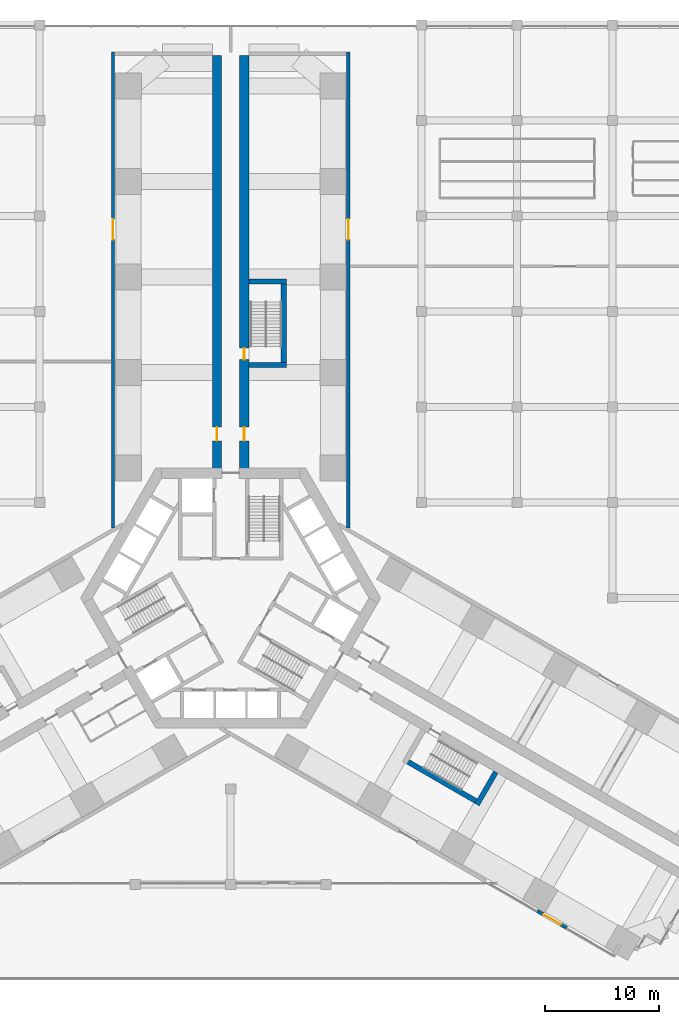
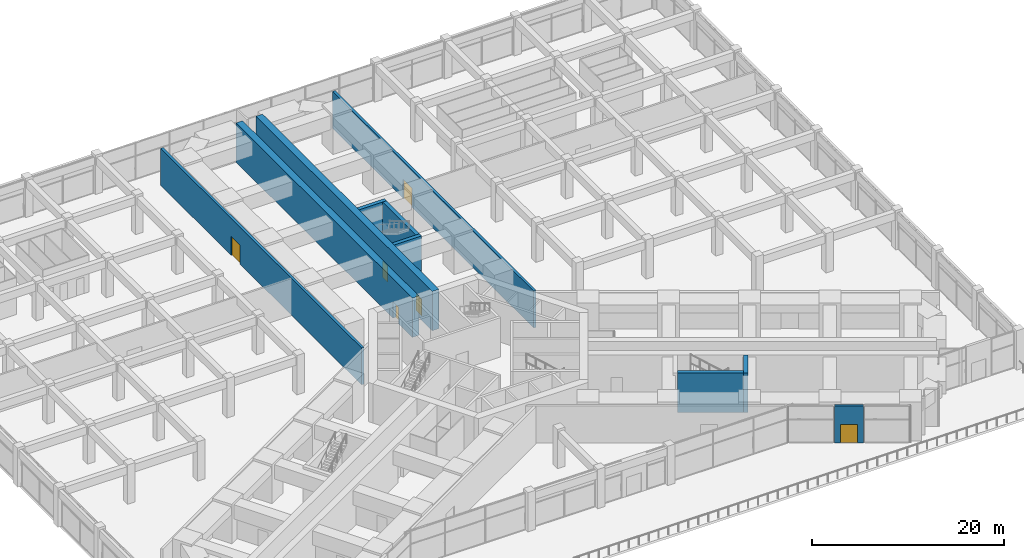
# One storey, part 29 of 34: 10 walls, 6 doors, 6 openings.
"""IFC4 building model written with IfcOpenShell, lengths in metres."""

from ifc_helpers import new_model, si_unit, direction, frame, frame_2d, origin, place, context, subcontext, project, spatial, rectangle, extrude, material, layer, layer_set, type_object, element, fill, save


model = new_model("IFC4")

# Units and contexts
model_context = context("Model", 3, precision=1e-05, world=origin(), true_north=direction((0.0, 1.0)))
body_context = subcontext(model_context, "Body", "Model", "MODEL_VIEW")
ifc_project = project(units=[si_unit("LENGTHUNIT", "METRE"), si_unit("AREAUNIT", "SQUARE_METRE"), si_unit("VOLUMEUNIT", "CUBIC_METRE"), si_unit("PLANEANGLEUNIT", "RADIAN"), si_unit("MASSUNIT", "GRAM", prefix="KILO")], contexts=[model_context])

# Site, building, storey
site_placement = place(None, origin())
site = spatial("IfcSite", under=ifc_project, at=site_placement, CompositionType="ELEMENT")
building_placement = place(site_placement, origin())
building = spatial("IfcBuilding", under=site, at=building_placement, Name="Impinga Residences", CompositionType="ELEMENT")
storey_placement = place(building_placement, frame((0.0, 0.0, 11.0)))
storey = spatial("IfcBuildingStorey", under=building, at=storey_placement, Name="L02", CompositionType="ELEMENT", Elevation=11.0)

# Wall, opening, door
ifc_material_1 = material(Name="Concrete C70/85", Category="concrete")
ifc_layer_1 = layer(ifc_material_1, 0.800048828125)
ifc_layer_set_1 = layer_set([ifc_layer_1], Name="Concrete C70/85")
wall_type_1 = type_object("IfcWallType", Name="BW0 corridor buttress wall, B3 to L04 800", PredefinedType="SHEAR", material=ifc_layer_set_1)
wall_1_placement = place(storey_placement, frame((-1.199951171875, 10.9814453125, 0.0), z_axis=(0.0, 0.0, 1.0), x_axis=(0.0, 1.0, 0.0)))
wall_1 = element("IfcWall", 1, at=wall_1_placement, inside=storey, type_object=wall_type_1, Name="Corridor wall BW0 NC L02", PredefinedType="SHEAR", context=body_context, shape_type="SweptSolid", body=[
    extrude(rectangle(XDim=36.75, YDim=0.800048828125, at=frame_2d((18.375, 0.0))), origin(), (0.0, 0.0, 1.0), 5.0),
])
opening_1_placement = place(wall_1_placement, frame((2.85009765625, 0.0, 0.0)))
opening_1 = element("IfcOpeningElement", 2, at=opening_1_placement, cuts=wall_1, Name="Opening D3", PredefinedType="OPENING", context=body_context, shape_type="SweptSolid", body=[
    extrude(rectangle(XDim=1.199951171875, YDim=2.10009765625, at=frame_2d((0.60009765625, 1.050048828125))), frame((0.0, 0.409912109375, 0.0), z_axis=(0.0, -1.0, 0.0), x_axis=(1.0, 0.0, 0.0)), (0.0, 0.0, 1.0), 0.820068359375),
])
ifc_material_2 = material(Name="Timber door set", Category="wood")
door_type_1 = type_object("IfcDoorType", Name="D3 room door, leaf and a half 1200x2100", OperationType="DOUBLE_SWING_LEFT", PredefinedType="DOOR", material=ifc_material_2)
door_1_placement = place(opening_1_placement, origin())
door_1 = element("IfcDoor", 3, at=door_1_placement, inside=storey, type_object=door_type_1, Name="Changing room door L02-NA1", OperationType="DOUBLE_SWING_LEFT", OverallHeight=2.10009765625, OverallWidth=1.199951171875, PredefinedType="DOOR", context=body_context, shape_type="SweptSolid", body=[
    extrude(rectangle(XDim=1.199951171875, YDim=2.10009765625, at=frame_2d((0.60009765625, 1.050048828125))), frame((0.0, 0.02490234375, 0.0), z_axis=(0.0, -1.0, 0.0), x_axis=(1.0, 0.0, 0.0)), (0.0, 0.0, 1.0), 0.050048828125),
])
fill(opening_1, door_1)

# Wall, openings, doors
wall_2_placement = place(storey_placement, frame((1.199951171875, 10.9814453125, 0.0), z_axis=(0.0, 0.0, 1.0), x_axis=(0.0, 1.0, 0.0)))
wall_2 = element("IfcWall", 4, at=wall_2_placement, inside=storey, type_object=wall_type_1, Name="Corridor wall BW0 ND L02", PredefinedType="SHEAR", context=body_context, shape_type="SweptSolid", body=[
    extrude(rectangle(XDim=36.75, YDim=0.800048828125, at=frame_2d((18.375, 0.0))), origin(), (0.0, 0.0, 1.0), 5.0),
])
opening_2_placement = place(wall_2_placement, frame((10.0, 0.0, 0.0)))
opening_2 = element("IfcOpeningElement", 5, at=opening_2_placement, cuts=wall_2, Name="Opening D5", PredefinedType="OPENING", context=body_context, shape_type="SweptSolid", body=[
    extrude(rectangle(XDim=1.0, YDim=2.10009765625, at=frame_2d((0.5, 1.050048828125))), frame((0.0, 0.409912109375, 0.0), z_axis=(0.0, -1.0, 0.0), x_axis=(1.0, 0.0, 0.0)), (0.0, 0.0, 1.0), 0.820068359375),
])
opening_3_placement = place(wall_2_placement, frame((2.85009765625, 0.0, 0.0)))
opening_3 = element("IfcOpeningElement", 6, at=opening_3_placement, cuts=wall_2, Name="Opening D3", PredefinedType="OPENING", context=body_context, shape_type="SweptSolid", body=[
    extrude(rectangle(XDim=1.199951171875, YDim=2.10009765625, at=frame_2d((0.60009765625, 1.050048828125))), frame((0.0, 0.409912109375, 0.0), z_axis=(0.0, -1.0, 0.0), x_axis=(1.0, 0.0, 0.0)), (0.0, 0.0, 1.0), 0.820068359375),
])
door_2_placement = place(opening_3_placement, origin())
door_2 = element("IfcDoor", 7, at=door_2_placement, inside=storey, type_object=door_type_1, Name="Changing room door L02-NF1", OperationType="DOUBLE_SWING_LEFT", OverallHeight=2.10009765625, OverallWidth=1.199951171875, PredefinedType="DOOR", context=body_context, shape_type="SweptSolid", body=[
    extrude(rectangle(XDim=1.199951171875, YDim=2.10009765625, at=frame_2d((0.60009765625, 1.050048828125))), frame((0.0, 0.02490234375, 0.0), z_axis=(0.0, -1.0, 0.0), x_axis=(1.0, 0.0, 0.0)), (0.0, 0.0, 1.0), 0.050048828125),
])
fill(opening_3, door_2)
door_type_2 = type_object("IfcDoorType", Name="D5 stair door 1000x2100", OperationType="SINGLE_SWING_LEFT", PredefinedType="DOOR", material=ifc_material_2)
door_3_placement = place(opening_2_placement, origin())
door_3 = element("IfcDoor", 8, at=door_3_placement, inside=storey, type_object=door_type_2, Name="Wing stair door N", OperationType="SINGLE_SWING_LEFT", OverallHeight=2.10009765625, OverallWidth=1.0, PredefinedType="DOOR", context=body_context, shape_type="SweptSolid", body=[
    extrude(rectangle(XDim=1.0, YDim=2.10009765625, at=frame_2d((0.5, 1.050048828125))), frame((0.0, 0.02490234375, 0.0), z_axis=(0.0, -1.0, 0.0), x_axis=(1.0, 0.0, 0.0)), (0.0, 0.0, 1.0), 0.050048828125),
])
fill(opening_2, door_3)

# Wall, opening, door
ifc_material_3 = material(Name="Stone facing on blockwork", Category="masonry")
ifc_layer_2 = layer(ifc_material_3, 0.300048828125)
ifc_layer_set_2 = layer_set([ifc_layer_2], Name="EW2 external wall, stone facing on blockwork 300")
wall_type_2 = type_object("IfcWallType", Name="EW2 external wall, stone facing on blockwork 300", PredefinedType="SOLIDWALL", material=ifc_layer_set_2)
wall_3_placement = place(storey_placement, frame((29.572021484375, -29.024658203125, 0.0), z_axis=(0.0, 0.0, 1.0), x_axis=(-0.866010750942, 0.50002537861, 0.0)))
wall_3 = element("IfcWall", 9, at=wall_3_placement, inside=storey, type_object=wall_type_2, Name="External wall EW2 L02", PredefinedType="SOLIDWALL", context=body_context, shape_type="SweptSolid", body=[
    extrude(rectangle(XDim=2.999755859375, YDim=0.300048828125, at=frame_2d((1.5, 0.0))), origin(), (0.0, 0.0, 1.0), 4.699951171875),
])
opening_4_placement = place(wall_3_placement, frame((0.60009765625, 0.0, 0.0)))
opening_4 = element("IfcOpeningElement", 10, at=opening_4_placement, cuts=wall_3, Name="Opening TD2", PredefinedType="OPENING", context=body_context, shape_type="SweptSolid", body=[
    extrude(rectangle(XDim=1.800048828125, YDim=2.39990234375, at=frame_2d((0.89990234375, 1.199951171875))), frame((0.0, 0.159912109375, 0.0), z_axis=(0.0, -1.0, 0.0), x_axis=(1.0, 0.0, 0.0)), (0.0, 0.0, 1.0), 0.320068359375),
])
ifc_material_4 = material(Name="Glazed aluminium door", Category="aluminium")
door_type_3 = type_object("IfcDoorType", Name="TD2 terrace door pair 1800x2400", OperationType="DOUBLE_DOOR_SINGLE_SWING", PredefinedType="DOOR", material=ifc_material_4)
door_4_placement = place(opening_4_placement, origin())
door_4 = element("IfcDoor", 11, at=door_4_placement, inside=storey, type_object=door_type_3, Name="Terrace doors L02", OperationType="DOUBLE_DOOR_SINGLE_SWING", OverallHeight=2.39990234375, OverallWidth=1.800048828125, PredefinedType="DOOR", context=body_context, shape_type="SweptSolid", body=[
    extrude(rectangle(XDim=1.800048828125, YDim=2.39990234375, at=frame_2d((0.89990234375, 1.199951171875))), frame((0.0, 0.02490234375, 0.0), z_axis=(0.0, -1.0, 0.0), x_axis=(1.0, 0.0, 0.0)), (0.0, 0.0, 1.0), 0.050048828125),
])
fill(opening_4, door_4)

ifc_material_5 = material(Name="Concrete blockwork", Category="masonry")
ifc_layer_3 = layer(ifc_material_5, 0.300048828125)
ifc_layer_set_3 = layer_set([ifc_layer_3], Name="PW3 podium wall on the wing face 300")
wall_type_3 = type_object("IfcWallType", Name="PW3 podium wall on the wing face 300", PredefinedType="SOLIDWALL", material=ifc_layer_set_3)
wall_4_placement = place(storey_placement, frame((-10.35009765625, 6.148681640625, 0.0), z_axis=(0.0, 0.0, 1.0), x_axis=(0.0, 1.0, 0.0)))
wall_4 = element("IfcWall", 12, at=wall_4_placement, inside=storey, type_object=wall_type_3, Name="Podium wall on the wing face L02:SIDE:NA0", PredefinedType="SOLIDWALL", context=body_context, shape_type="SweptSolid", body=[
    extrude(rectangle(XDim=41.8828125, YDim=0.300048828125, at=frame_2d((20.94140625, 0.0))), origin(), (0.0, 0.0, 1.0), 4.699951171875),
])
opening_5_placement = place(wall_4_placement, frame((25.3828125, 0.0, 0.0)))
opening_5 = element("IfcOpeningElement", 13, at=opening_5_placement, cuts=wall_4, Name="Opening D7", PredefinedType="OPENING", context=body_context, shape_type="SweptSolid", body=[
    extrude(rectangle(XDim=1.800048828125, YDim=2.39990234375, at=frame_2d((0.89990234375, 1.199951171875))), frame((0.0, 0.159912109375, 0.0), z_axis=(0.0, -1.0, 0.0), x_axis=(1.0, 0.0, 0.0)), (0.0, 0.0, 1.0), 0.320068359375),
])
door_type_4 = type_object("IfcDoorType", Name="D7 podium door pair 1800x2400", OperationType="DOUBLE_DOOR_DOUBLE_SWING", PredefinedType="DOOR", material=ifc_material_2)
door_5_placement = place(opening_5_placement, origin())
door_5 = element("IfcDoor", 14, at=door_5_placement, inside=storey, type_object=door_type_4, Name="Double door NA", OperationType="DOUBLE_DOOR_DOUBLE_SWING", OverallHeight=2.39990234375, OverallWidth=1.800048828125, PredefinedType="DOOR", context=body_context, shape_type="SweptSolid", body=[
    extrude(rectangle(XDim=1.800048828125, YDim=2.39990234375, at=frame_2d((0.89990234375, 1.199951171875))), frame((0.0, 0.02490234375, 0.0), z_axis=(0.0, -1.0, 0.0), x_axis=(1.0, 0.0, 0.0)), (0.0, 0.0, 1.0), 0.050048828125),
])
fill(opening_5, door_5)

wall_5_placement = place(storey_placement, frame((10.35009765625, 6.148681640625, 0.0), z_axis=(0.0, 0.0, 1.0), x_axis=(0.0, 1.0, 0.0)))
wall_5 = element("IfcWall", 15, at=wall_5_placement, inside=storey, type_object=wall_type_3, Name="Podium wall on the wing face L02:SIDE:NF0", PredefinedType="SOLIDWALL", context=body_context, shape_type="SweptSolid", body=[
    extrude(rectangle(XDim=41.8828125, YDim=0.300048828125, at=frame_2d((20.94140625, 0.0))), origin(), (0.0, 0.0, 1.0), 4.699951171875),
])
opening_6_placement = place(wall_5_placement, frame((25.3828125, 0.0, 0.0)))
opening_6 = element("IfcOpeningElement", 16, at=opening_6_placement, cuts=wall_5, Name="Opening D7", PredefinedType="OPENING", context=body_context, shape_type="SweptSolid", body=[
    extrude(rectangle(XDim=1.800048828125, YDim=2.39990234375, at=frame_2d((0.89990234375, 1.199951171875))), frame((0.0, 0.159912109375, 0.0), z_axis=(0.0, -1.0, 0.0), x_axis=(1.0, 0.0, 0.0)), (0.0, 0.0, 1.0), 0.320068359375),
])
door_6_placement = place(opening_6_placement, origin())
door_6 = element("IfcDoor", 17, at=door_6_placement, inside=storey, type_object=door_type_4, Name="Double door NF", OperationType="DOUBLE_DOOR_DOUBLE_SWING", OverallHeight=2.39990234375, OverallWidth=1.800048828125, PredefinedType="DOOR", context=body_context, shape_type="SweptSolid", body=[
    extrude(rectangle(XDim=1.800048828125, YDim=2.39990234375, at=frame_2d((0.89990234375, 1.199951171875))), frame((0.0, 0.02490234375, 0.0), z_axis=(0.0, -1.0, 0.0), x_axis=(1.0, 0.0, 0.0)), (0.0, 0.0, 1.0), 0.050048828125),
])
fill(opening_6, door_6)

# Walls
ifc_material_6 = material(Name="Concrete C60/75", Category="concrete")
ifc_layer_4 = layer(ifc_material_6, 0.449951171875)
ifc_layer_set_4 = layer_set([ifc_layer_4], Name="Concrete C60/75")
wall_type_4 = type_object("IfcWallType", Name="SE2 wing stair enclosure wall, ground and podium storeys 450", PredefinedType="SOLIDWALL", material=ifc_layer_set_4)
for number, where, z_axis, x_axis, name in (
    (18, (1.60009765625, 20.506591796875, 0.0), (0.0, 0.0, 1.0), (1.0, 0.0, 0.0), "Stair enclosure wall SE2 N END0 L02"),
    (19, (1.60009765625, 27.8564453125, 0.0), (0.0, 0.0, 1.0), (1.0, 0.0, 0.0), "Stair enclosure wall SE2 N END1 L02"),
):
    element("IfcWall", number, at=place(storey_placement, frame(where, z_axis=z_axis, x_axis=x_axis)), inside=storey, type_object=wall_type_4, Name=name, PredefinedType="SOLIDWALL", context=body_context, shape_type="SweptSolid", body=[
        extrude(rectangle(XDim=3.2998046875, YDim=0.449951171875, at=frame_2d((1.64990234375, 0.0))), origin(), (0.0, 0.0, 1.0), 5.0),
    ])
wall_6_placement = place(storey_placement, frame((4.675048828125, 20.7314453125, 0.0), z_axis=(0.0, 0.0, 1.0), x_axis=(0.0, 1.0, 0.0)))
element("IfcWall", 20, at=wall_6_placement, inside=storey, type_object=wall_type_4, Name="Stair enclosure wall SE2 N OUT L02", PredefinedType="SOLIDWALL", context=body_context, shape_type="SweptSolid", body=[
    extrude(rectangle(XDim=6.900146484375, YDim=0.449951171875, at=frame_2d((3.4501953125, 0.0))), origin(), (0.0, 0.0, 1.0), 5.0),
])
wall_7_placement = place(storey_placement, frame((23.324462890625, -15.31396484375, 0.0), z_axis=(0.0, 0.0, 1.0), x_axis=(-0.499974350878, -0.866040211805, 0.0)))
element("IfcWall", 21, at=wall_7_placement, inside=storey, type_object=wall_type_4, Name="Stair enclosure wall SE2 E END1 L02", PredefinedType="SOLIDWALL", context=body_context, shape_type="SweptSolid", body=[
    extrude(rectangle(XDim=3.300048828125, YDim=0.449951171875, at=frame_2d((1.64990234375, 0.0))), origin(), (0.0, 0.0, 1.0), 5.0),
])
wall_8_placement = place(storey_placement, frame((15.616455078125, -14.41455078125, 0.0), z_axis=(0.0, 0.0, 1.0), x_axis=(0.866028853923, -0.499994024137, 0.0)))
element("IfcWall", 22, at=wall_8_placement, inside=storey, type_object=wall_type_4, Name="Stair enclosure wall SE2 E OUT L02", PredefinedType="SOLIDWALL", context=body_context, shape_type="SweptSolid", body=[
    extrude(rectangle(XDim=6.89990234375, YDim=0.449951171875, at=frame_2d((3.449951171875, 0.0))), origin(), (0.0, 0.0, 1.0), 5.0),
])

save(model, "model.ifc")
